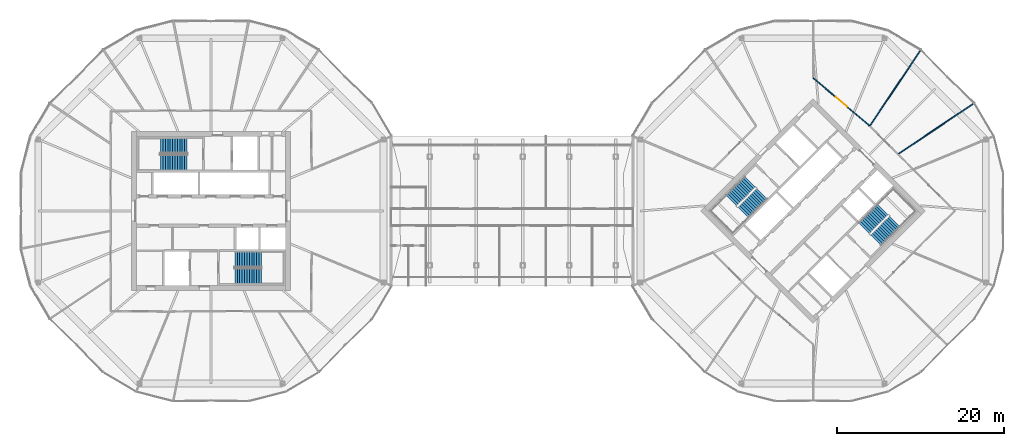
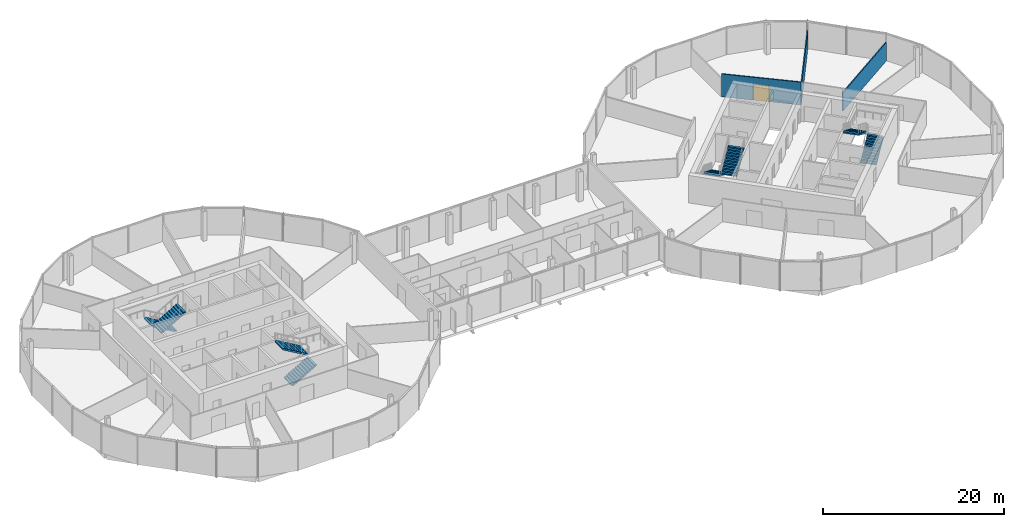
# One storey, part 24 of 25: 8 stair flights, 3 walls, 1 door, 1 opening, 4 elements without a shape of their own.
"""IFC4 building model written with IfcOpenShell, lengths in metres."""

import ifcopenshell
import ifcopenshell.guid

model = None  # the IFC model being written
_history = None  # IfcOwnerHistory: only IFC2X3 demands one
_inside = {}  # id of a spatial element -> (the spatial element, [elements in it])
_under = {}  # id of a project, library or spatial element -> (it, [spatial elements below it])
_declared = {}  # id of a project -> (the project, [libraries it declares])
_typed = {}  # id of a type object -> (the type object, [elements of that type])
_made_of = {}  # id of a material, layer set ... -> (it, [elements and type objects made of it])


def new_model(schema):
    """Start an empty IFC model of exactly this schema.

    Asked for "IFC4X3", IfcOpenShell would pick the latest addendum, in which some entities
    have other attributes; the version numbers below select the first issue.
    IFC2X3 requires an IfcOwnerHistory on every rooted entity: one is made here for all.
    """
    global model, _history
    if schema == "IFC4X3":
        model = ifcopenshell.file(schema_version=(4, 3, 0, 0))
    else:
        model = ifcopenshell.file(schema=schema)
    _inside.clear()
    _under.clear()
    _declared.clear()
    _typed.clear()
    _made_of.clear()
    _history = None
    if model.schema == "IFC2X3":
        org = make("IfcOrganization", Name="unknown")
        user = make(
            "IfcPersonAndOrganization",
            ThePerson=make("IfcPerson", FamilyName="unknown"),
            TheOrganization=org,
        )
        app = make(
            "IfcApplication",
            ApplicationDeveloper=org,
            Version="unknown",
            ApplicationFullName="unknown",
            ApplicationIdentifier="unknown",
        )
        _history = make(
            "IfcOwnerHistory",
            OwningUser=user,
            OwningApplication=app,
            ChangeAction="ADDED",
            CreationDate=0,
        )
    return model


def make(cls, **values):
    """One entity of the class cls with the attributes given. An attribute that is None is left unset."""
    return model.create_entity(
        cls, **{name: value for name, value in values.items() if value is not None}
    )


def rooted(cls, **values):
    """An entity with a GlobalId (a new one), such as an element, a storey or a relation."""
    return make(cls, GlobalId=ifcopenshell.guid.new(), OwnerHistory=_history, **values)


def si_unit(unit_type, name, prefix=None):
    """IfcSIUnit, for example si_unit("LENGTHUNIT", "METRE", prefix="MILLI")."""
    return make("IfcSIUnit", UnitType=unit_type, Prefix=prefix, Name=name)


def assignment(units):
    """IfcUnitAssignment: the units of a project."""
    return None if units is None else make("IfcUnitAssignment", Units=units)


def point(xyz):
    """IfcCartesianPoint."""
    return None if xyz is None else make("IfcCartesianPoint", Coordinates=xyz)


def direction(xyz):
    """IfcDirection."""
    return None if xyz is None else make("IfcDirection", DirectionRatios=xyz)


def frame(location, z_axis=None, x_axis=None):
    """IfcAxis2Placement3D, a coordinate frame: its origin and axes. An axis left out is left unset."""
    return make(
        "IfcAxis2Placement3D",
        Location=point(location),
        Axis=direction(z_axis),
        RefDirection=direction(x_axis),
    )


def frame_2d(location, x_axis=None):
    """IfcAxis2Placement2D, a coordinate frame in the plane: its origin and x axis."""
    return make(
        "IfcAxis2Placement2D", Location=point(location), RefDirection=direction(x_axis)
    )


def origin():
    """The frame at (0, 0, 0) with its axes left unset."""
    return frame((0.0, 0.0, 0.0))


def place(relative_to, where):
    """IfcLocalPlacement: puts the frame where relative to a parent placement (None: the world)."""
    return make(
        "IfcLocalPlacement", PlacementRelTo=relative_to, RelativePlacement=where
    )


def context(
    kind, dimensions, precision=None, world=None, true_north=None, identifier=None
):
    """IfcGeometricRepresentationContext, for example the 3D "Model" context."""
    return make(
        "IfcGeometricRepresentationContext",
        ContextIdentifier=identifier,
        ContextType=kind,
        CoordinateSpaceDimension=dimensions,
        Precision=precision,
        WorldCoordinateSystem=world,
        TrueNorth=true_north,
    )


def subcontext(parent, identifier, kind, view, scale=None):
    """IfcGeometricRepresentationSubContext, for example "Body" below "Model"."""
    return make(
        "IfcGeometricRepresentationSubContext",
        ContextIdentifier=identifier,
        ContextType=kind,
        ParentContext=parent,
        TargetScale=scale,
        TargetView=view,
    )


def project(units=None, contexts=None):
    """IfcProject with its units and contexts."""
    return rooted(
        "IfcProject",
        Name="project",
        RepresentationContexts=contexts,
        UnitsInContext=assignment(units),
    )


def spatial(cls, under=None, at=None, **own):
    """A site, building, storey or space (cls), placed at a placement, below another one or the project."""
    s = rooted(cls, ObjectPlacement=at, **own)
    if under is not None:
        _under.setdefault(under.id(), (under, []))[1].append(s)
    return s


def polyline(points):
    """IfcPolyline through the points."""
    return make("IfcPolyline", Points=[point(p) for p in points])


def profile(cls, at=None, kind="AREA", **sizes):
    """A parametric profile (cls). Its sizes go by their IFC names, for example OverallWidth=200.0."""
    return make(cls, ProfileType=kind, Position=at, **sizes)


def rectangle(**sizes):
    """IfcRectangleProfileDef."""
    return profile("IfcRectangleProfileDef", **sizes)


def outline(outer, holes=None, kind="AREA"):
    """IfcArbitraryClosedProfileDef: a profile drawn as a closed curve; with holes, ...WithVoids."""
    if holes is None:
        return make("IfcArbitraryClosedProfileDef", ProfileType=kind, OuterCurve=outer)
    return make(
        "IfcArbitraryProfileDefWithVoids",
        ProfileType=kind,
        OuterCurve=outer,
        InnerCurves=holes,
    )


def extrude(swept, where, along, depth):
    """IfcExtrudedAreaSolid: the profile swept, set in the frame where, extruded along a direction by depth."""
    return make(
        "IfcExtrudedAreaSolid",
        SweptArea=swept,
        Position=where,
        ExtrudedDirection=direction(along),
        Depth=depth,
    )


def shape(context_of_items, identifier, shape_type, items):
    """IfcShapeRepresentation: the items that make up one representation, for example the "Body"."""
    return make(
        "IfcShapeRepresentation",
        ContextOfItems=context_of_items,
        RepresentationIdentifier=identifier,
        RepresentationType=shape_type,
        Items=items,
    )


def material(Name=None, Category=None):
    """IfcMaterial."""
    return make("IfcMaterial", Name=Name, Category=Category)


def layer(
    of_material, thickness, ventilated=None, Name=None, Category=None, Priority=None
):
    """IfcMaterialLayer: one layer of a wall or slab, of a material (None: an air gap)."""
    return make(
        "IfcMaterialLayer",
        Material=of_material,
        LayerThickness=thickness,
        IsVentilated=ventilated,
        Name=Name,
        Category=Category,
        Priority=Priority,
    )


def layer_set(layers, Name=None):
    """IfcMaterialLayerSet."""
    return make("IfcMaterialLayerSet", MaterialLayers=layers, LayerSetName=Name)


def made_of(thing, what):
    """Note that an element or type object is made of a material, layer set ...; save() writes the relation."""
    if what is not None:
        _made_of.setdefault(what.id(), (what, []))[1].append(thing)
    return thing


def type_object(cls, material=None, **own):
    """A type object (cls), such as IfcWallType, which elements share."""
    return made_of(rooted(cls, **own), material)


def element(
    cls,
    number,
    at=None,
    inside=None,
    cuts=None,
    type_object=None,
    material=None,
    context=None,
    identifier="Body",
    shape_type=None,
    held_by="IfcProductDefinitionShape",
    body=None,
    shapes=None,
    **own,
):
    """One element of the class cls, such as IfcWall. Its Tag is "e" and its number.

    at: its placement. inside: the storey or other place that contains it. cuts: it is an
    opening in that element (IfcRelVoidsElement). A single representation is given by context,
    identifier, shape_type and body (its items); several are given by shapes. held_by: the class
    of the entity that holds the representations. save() writes the other relations.
    """
    e = rooted(cls, Tag="e%d" % number, ObjectPlacement=at, **own)
    if body is not None:
        shapes = [shape(context, identifier, shape_type, body)]
    if shapes is not None:
        e.Representation = make(held_by, Representations=shapes)
    if inside is not None:
        _inside.setdefault(inside.id(), (inside, []))[1].append(e)
    if cuts is not None:
        rooted(
            "IfcRelVoidsElement", RelatingBuildingElement=cuts, RelatedOpeningElement=e
        )
    if type_object is not None:
        _typed.setdefault(type_object.id(), (type_object, []))[1].append(e)
    return made_of(e, material)


def fill(opening, filler):
    """IfcRelFillsElement: the door or window that sits in an opening."""
    return rooted(
        "IfcRelFillsElement",
        RelatingOpeningElement=opening,
        RelatedBuildingElement=filler,
    )


def aggregate(whole, parts):
    """IfcRelAggregates: a whole, such as a stair, and the parts it consists of."""
    return rooted("IfcRelAggregates", RelatingObject=whole, RelatedObjects=parts)


def save(model, path):
    """Write the relations noted so far, then the file.

    IfcRelAggregates (storeys below a building ...), IfcRelContainedInSpatialStructure (elements
    in a storey), IfcRelDefinesByType, IfcRelAssociatesMaterial and IfcRelDeclares: one each for
    every whole, place, type object, material and project.
    """
    for whole, parts in _under.values():
        aggregate(whole, parts)
    for where, things in _inside.values():
        rooted(
            "IfcRelContainedInSpatialStructure",
            RelatedElements=things,
            RelatingStructure=where,
        )
    for kind, things in _typed.values():
        rooted("IfcRelDefinesByType", RelatedObjects=things, RelatingType=kind)
    for what, things in _made_of.values():
        rooted("IfcRelAssociatesMaterial", RelatedObjects=things, RelatingMaterial=what)
    for by, libraries in _declared.values():
        rooted("IfcRelDeclares", RelatingContext=by, RelatedDefinitions=libraries)
    model.write(path)


model = new_model("IFC4")

# Units and contexts
model_context = context("Model", 3, precision=1e-05, world=origin(), true_north=direction((0.0, 1.0)))
body_context = subcontext(model_context, "Body", "Model", "MODEL_VIEW")
ifc_project = project(units=[si_unit("LENGTHUNIT", "METRE"), si_unit("AREAUNIT", "SQUARE_METRE"), si_unit("VOLUMEUNIT", "CUBIC_METRE"), si_unit("PLANEANGLEUNIT", "RADIAN"), si_unit("MASSUNIT", "GRAM", prefix="KILO")], contexts=[model_context])

# Site, building, storey
site_placement = place(None, origin())
site = spatial("IfcSite", under=ifc_project, at=site_placement, CompositionType="ELEMENT")
building_placement = place(site_placement, origin())
building = spatial("IfcBuilding", under=site, at=building_placement, Name="Ogive Gate Towers", CompositionType="ELEMENT")
storey_placement = place(building_placement, frame((0.0, 0.0, 144.800048828125)))
storey = spatial("IfcBuildingStorey", under=building, at=storey_placement, Name="L34", CompositionType="ELEMENT", Elevation=144.800048828125)

# Walls
ifc_material_1 = material(Name="Gypsum board partition")
ifc_layer = layer(ifc_material_1, 0.125)
ifc_layer_set = layer_set([ifc_layer], Name="Partition 125")
wall_type = type_object("IfcWallType", Name="Partition 125", PredefinedType="PARTITIONING", material=ifc_layer_set)
for number, where, z_axis, x_axis, name in (
    (1, (55.2021484375, 12.83984375, 0.0), (0.0, 0.0, 1.0), (-0.831275117421, -0.55586120494, 0.0), "Partition T2-L34-002"),
    (2, (48.83984375, 19.2021484375, 0.0), (0.0, 0.0, 1.0), (-0.55586120494, -0.831275117421, 0.0), "Partition T2-L34-003"),
):
    element("IfcWall", number, at=place(storey_placement, frame(where, z_axis=z_axis, x_axis=x_axis)), inside=storey, type_object=wall_type, Name=name, PredefinedType="PARTITIONING", context=body_context, shape_type="SweptSolid", body=[
        extrude(rectangle(XDim=10.81640625, YDim=0.125, at=frame_2d((5.408203125, 0.0))), origin(), (0.0, 0.0, 1.0), 2.5),
    ])

# Wall, opening, door
wall_placement = place(storey_placement, frame((42.792724609375, 10.15869140625, 0.0), z_axis=(0.0, 0.0, 1.0), x_axis=(-0.762636147482, 0.646827725561, 0.0)))
wall = element("IfcWall", 3, at=wall_placement, inside=storey, type_object=wall_type, Name="Partition T2-L34-019", PredefinedType="PARTITIONING", context=body_context, shape_type="SweptSolid", body=[
    extrude(rectangle(XDim=8.906982421875, YDim=0.125, at=frame_2d((4.45361328125, 0.0))), origin(), (0.0, 0.0, 1.0), 3.099853515625),
])
opening_placement = place(wall_placement, frame((3.552978515625, 0.0, 0.0)))
opening = element("IfcOpeningElement", 4, at=opening_placement, cuts=wall, Name="Opening T2-L34-D07", PredefinedType="OPENING", context=body_context, shape_type="SweptSolid", body=[
    extrude(rectangle(XDim=1.800048828125, YDim=2.10009765625, at=frame_2d((0.89990234375, 1.050048828125))), frame((0.0, 0.072509765625, 0.0), z_axis=(0.0, -1.0, 0.0), x_axis=(1.0, 0.0, 0.0)), (0.0, 0.0, 1.0), 0.14501953125),
])
ifc_material_2 = material(Name="Timber door", Category="wood")
door_type = type_object("IfcDoorType", Name="Door pair 1800", OperationType="NOTDEFINED", PredefinedType="DOOR", material=ifc_material_2)
door_placement = place(opening_placement, origin())
door = element("IfcDoor", 5, at=door_placement, inside=storey, type_object=door_type, Name="Door T2-L34-D07", OperationType="DOUBLE_DOOR_DOUBLE_SWING", OverallHeight=2.10009765625, OverallWidth=1.800048828125, PredefinedType="DOOR", context=body_context, shape_type="SweptSolid", body=[
    extrude(rectangle(XDim=1.800048828125, YDim=2.10009765625, at=frame_2d((0.89990234375, 1.050048828125))), frame((0.0, 0.02490234375, 0.0), z_axis=(0.0, -1.0, 0.0), x_axis=(1.0, 0.0, 0.0)), (0.0, 0.0, 1.0), 0.050048828125),
])
fill(opening, door)

# Stair, stair flights
ifc_material_3 = material(Name="Concrete C40/50", Category="concrete")
stair_type = type_object("IfcStairType", Name="Escape stair 1840 wide", PredefinedType="HALF_TURN_STAIR", material=ifc_material_3)
stair_1_placement = place(storey_placement, origin())
stair_1 = element("IfcStair", 6, at=stair_1_placement, inside=storey, type_object=stair_type, Name="L34 Escape stair 1", PredefinedType="HALF_TURN_STAIR")
stair_flight_type = type_object("IfcStairFlightType", Name="Stair flight 1840 wide", PredefinedType="STRAIGHT", material=ifc_material_3)
stair_flight_1_placement = place(storey_placement, frame((-38.864990234375, 7.780029296875, 0.0), z_axis=(0.0, 0.0, 1.0), x_axis=(-1.0, 0.0, 0.0)))
stair_flight_1 = element("IfcStairFlight", 7, at=stair_flight_1_placement, type_object=stair_flight_type, Name="ST1 flight 1", NumberOfRisers=12, NumberOfTreads=11, PredefinedType="STRAIGHT", RiserHeight=0.166666667, TreadLength=0.2875, context=body_context, shape_type="SweptSolid", body=[
    extrude(outline(polyline([(0.0, 0.0), (0.0, 0.166748046875), (0.28759765625, 0.166748046875), (0.28759765625, 0.333251953125), (0.574951171875, 0.333251953125), (0.574951171875, 0.5), (0.862548828125, 0.5), (0.862548828125, 0.666748046875), (1.14990234375, 0.666748046875), (1.14990234375, 0.833251953125), (1.4375, 0.833251953125), (1.4375, 1.0), (1.72509765625, 1.0), (1.72509765625, 1.166748046875), (2.012451171875, 1.166748046875), (2.012451171875, 1.333251953125), (2.300048828125, 1.333251953125), (2.300048828125, 1.5), (2.58740234375, 1.5), (2.58740234375, 1.666748046875), (2.875, 1.666748046875), (2.875, 1.833251953125), (3.16259765625, 1.833251953125), (3.16259765625, 2.0), (3.16259765625, 1.66015625), (0.298828125, 0.0), (0.0, 0.0)])), frame((0.0, 0.919921875, 0.0), z_axis=(0.0, -1.0, 0.0), x_axis=(1.0, 0.0, 0.0)), (0.0, 0.0, 1.0), 1.840087890625),
])
stair_flight_2_placement = place(storey_placement, frame((-42.027587890625, 5.794921875, 2.0), z_axis=(0.0, 0.0, 1.0), x_axis=(1.0, 0.0, 0.0)))
stair_flight_2 = element("IfcStairFlight", 8, at=stair_flight_2_placement, type_object=stair_flight_type, Name="ST1 flight 2", NumberOfRisers=12, NumberOfTreads=11, PredefinedType="STRAIGHT", RiserHeight=0.166666667, TreadLength=0.2875, context=body_context, shape_type="SweptSolid", body=[
    extrude(outline(polyline([(0.0, 0.0), (0.0, 0.166748046875), (0.28759765625, 0.166748046875), (0.28759765625, 0.333251953125), (0.574951171875, 0.333251953125), (0.574951171875, 0.5), (0.862548828125, 0.5), (0.862548828125, 0.666748046875), (1.14990234375, 0.666748046875), (1.14990234375, 0.833251953125), (1.4375, 0.833251953125), (1.4375, 1.0), (1.72509765625, 1.0), (1.72509765625, 1.166748046875), (2.012451171875, 1.166748046875), (2.012451171875, 1.333251953125), (2.300048828125, 1.333251953125), (2.300048828125, 1.5), (2.58740234375, 1.5), (2.58740234375, 1.666748046875), (2.875, 1.666748046875), (2.875, 1.833251953125), (3.16259765625, 1.833251953125), (3.16259765625, 2.0), (3.16259765625, 1.66015625), (0.298828125, 0.0), (0.0, 0.0)])), frame((0.0, 0.919921875, 0.0), z_axis=(0.0, -1.0, 0.0), x_axis=(1.0, 0.0, 0.0)), (0.0, 0.0, 1.0), 1.840087890625),
])
aggregate(stair_1, [stair_flight_1, stair_flight_2])

stair_2_placement = place(storey_placement, origin())
stair_2 = element("IfcStair", 9, at=stair_2_placement, inside=storey, type_object=stair_type, Name="L34 Escape stair 2", PredefinedType="HALF_TURN_STAIR")
stair_flight_3_placement = place(storey_placement, frame((-33.135009765625, -7.780029296875, 0.0), z_axis=(0.0, 0.0, 1.0), x_axis=(1.0, 0.0, 0.0)))
stair_flight_3 = element("IfcStairFlight", 10, at=stair_flight_3_placement, type_object=stair_flight_type, Name="ST2 flight 1", NumberOfRisers=12, NumberOfTreads=11, PredefinedType="STRAIGHT", RiserHeight=0.166666667, TreadLength=0.2875, context=body_context, shape_type="SweptSolid", body=[
    extrude(outline(polyline([(0.0, 0.0), (0.0, 0.166748046875), (0.28759765625, 0.166748046875), (0.28759765625, 0.333251953125), (0.574951171875, 0.333251953125), (0.574951171875, 0.5), (0.862548828125, 0.5), (0.862548828125, 0.666748046875), (1.14990234375, 0.666748046875), (1.14990234375, 0.833251953125), (1.4375, 0.833251953125), (1.4375, 1.0), (1.72509765625, 1.0), (1.72509765625, 1.166748046875), (2.012451171875, 1.166748046875), (2.012451171875, 1.333251953125), (2.300048828125, 1.333251953125), (2.300048828125, 1.5), (2.58740234375, 1.5), (2.58740234375, 1.666748046875), (2.875, 1.666748046875), (2.875, 1.833251953125), (3.16259765625, 1.833251953125), (3.16259765625, 2.0), (3.16259765625, 1.66015625), (0.298828125, 0.0), (0.0, 0.0)])), frame((0.0, 0.919921875, 0.0), z_axis=(0.0, -1.0, 0.0), x_axis=(1.0, 0.0, 0.0)), (0.0, 0.0, 1.0), 1.840087890625),
])
stair_flight_4_placement = place(storey_placement, frame((-29.972412109375, -5.794921875, 2.0), z_axis=(0.0, 0.0, 1.0), x_axis=(-1.0, 0.0, 0.0)))
stair_flight_4 = element("IfcStairFlight", 11, at=stair_flight_4_placement, type_object=stair_flight_type, Name="ST2 flight 2", NumberOfRisers=12, NumberOfTreads=11, PredefinedType="STRAIGHT", RiserHeight=0.166666667, TreadLength=0.2875, context=body_context, shape_type="SweptSolid", body=[
    extrude(outline(polyline([(0.0, 0.0), (0.0, 0.166748046875), (0.28759765625, 0.166748046875), (0.28759765625, 0.333251953125), (0.574951171875, 0.333251953125), (0.574951171875, 0.5), (0.862548828125, 0.5), (0.862548828125, 0.666748046875), (1.14990234375, 0.666748046875), (1.14990234375, 0.833251953125), (1.4375, 0.833251953125), (1.4375, 1.0), (1.72509765625, 1.0), (1.72509765625, 1.166748046875), (2.012451171875, 1.166748046875), (2.012451171875, 1.333251953125), (2.300048828125, 1.333251953125), (2.300048828125, 1.5), (2.58740234375, 1.5), (2.58740234375, 1.666748046875), (2.875, 1.666748046875), (2.875, 1.833251953125), (3.16259765625, 1.833251953125), (3.16259765625, 2.0), (3.16259765625, 1.66015625), (0.298828125, 0.0), (0.0, 0.0)])), frame((0.0, 0.919921875, 0.0), z_axis=(0.0, -1.0, 0.0), x_axis=(1.0, 0.0, 0.0)), (0.0, 0.0, 1.0), 1.840087890625),
])
aggregate(stair_2, [stair_flight_3, stair_flight_4])

stair_3_placement = place(storey_placement, origin())
stair_3 = element("IfcStair", 12, at=stair_3_placement, inside=storey, type_object=stair_type, Name="L34 Escape stair 1", PredefinedType="HALF_TURN_STAIR")
stair_flight_5_placement = place(storey_placement, frame((28.472900390625, 3.475341796875, 0.0), z_axis=(0.0, 0.0, 1.0), x_axis=(-0.707106781187, -0.707106781187, 0.0)))
stair_flight_5 = element("IfcStairFlight", 13, at=stair_flight_5_placement, type_object=stair_flight_type, Name="ST1 flight 1", NumberOfRisers=12, NumberOfTreads=11, PredefinedType="STRAIGHT", RiserHeight=0.166666667, TreadLength=0.2875, context=body_context, shape_type="SweptSolid", body=[
    extrude(outline(polyline([(0.0, 0.0), (0.0, 0.166748046875), (0.28759765625, 0.166748046875), (0.28759765625, 0.333251953125), (0.574951171875, 0.333251953125), (0.574951171875, 0.5), (0.862548828125, 0.5), (0.862548828125, 0.666748046875), (1.14990234375, 0.666748046875), (1.14990234375, 0.833251953125), (1.4375, 0.833251953125), (1.4375, 1.0), (1.72509765625, 1.0), (1.72509765625, 1.166748046875), (2.012451171875, 1.166748046875), (2.012451171875, 1.333251953125), (2.300048828125, 1.333251953125), (2.300048828125, 1.5), (2.58740234375, 1.5), (2.58740234375, 1.666748046875), (2.875, 1.666748046875), (2.875, 1.833251953125), (3.16259765625, 1.833251953125), (3.16259765625, 2.0), (3.16259765625, 1.66015625), (0.298828125, 0.0), (0.0, 0.0)])), frame((0.0, 0.919921875, 0.0), z_axis=(0.0, -1.0, 0.0), x_axis=(1.0, 0.0, 0.0)), (0.0, 0.0, 1.0), 1.840087890625),
])
stair_flight_6_placement = place(storey_placement, frame((27.64013671875, -0.164306640625, 2.0), z_axis=(0.0, 0.0, 1.0), x_axis=(0.707106781187, 0.707106781187, 0.0)))
stair_flight_6 = element("IfcStairFlight", 14, at=stair_flight_6_placement, type_object=stair_flight_type, Name="ST1 flight 2", NumberOfRisers=12, NumberOfTreads=11, PredefinedType="STRAIGHT", RiserHeight=0.166666667, TreadLength=0.2875, context=body_context, shape_type="SweptSolid", body=[
    extrude(outline(polyline([(0.0, 0.0), (0.0, 0.166748046875), (0.28759765625, 0.166748046875), (0.28759765625, 0.333251953125), (0.574951171875, 0.333251953125), (0.574951171875, 0.5), (0.862548828125, 0.5), (0.862548828125, 0.666748046875), (1.14990234375, 0.666748046875), (1.14990234375, 0.833251953125), (1.4375, 0.833251953125), (1.4375, 1.0), (1.72509765625, 1.0), (1.72509765625, 1.166748046875), (2.012451171875, 1.166748046875), (2.012451171875, 1.333251953125), (2.300048828125, 1.333251953125), (2.300048828125, 1.5), (2.58740234375, 1.5), (2.58740234375, 1.666748046875), (2.875, 1.666748046875), (2.875, 1.833251953125), (3.16259765625, 1.833251953125), (3.16259765625, 2.0), (3.16259765625, 1.66015625), (0.298828125, 0.0), (0.0, 0.0)])), frame((0.0, 0.919921875, 0.0), z_axis=(0.0, -1.0, 0.0), x_axis=(1.0, 0.0, 0.0)), (0.0, 0.0, 1.0), 1.840087890625),
])
aggregate(stair_3, [stair_flight_5, stair_flight_6])

stair_4_placement = place(storey_placement, origin())
stair_4 = element("IfcStair", 15, at=stair_4_placement, inside=storey, type_object=stair_type, Name="L34 Escape stair 2", PredefinedType="HALF_TURN_STAIR")
stair_flight_7_placement = place(storey_placement, frame((43.527099609375, -3.475341796875, 0.0), z_axis=(0.0, 0.0, 1.0), x_axis=(0.707106781187, 0.707106781187, 0.0)))
stair_flight_7 = element("IfcStairFlight", 16, at=stair_flight_7_placement, type_object=stair_flight_type, Name="ST2 flight 1", NumberOfRisers=12, NumberOfTreads=11, PredefinedType="STRAIGHT", RiserHeight=0.166666667, TreadLength=0.2875, context=body_context, shape_type="SweptSolid", body=[
    extrude(outline(polyline([(0.0, 0.0), (0.0, 0.166748046875), (0.28759765625, 0.166748046875), (0.28759765625, 0.333251953125), (0.574951171875, 0.333251953125), (0.574951171875, 0.5), (0.862548828125, 0.5), (0.862548828125, 0.666748046875), (1.14990234375, 0.666748046875), (1.14990234375, 0.833251953125), (1.4375, 0.833251953125), (1.4375, 1.0), (1.72509765625, 1.0), (1.72509765625, 1.166748046875), (2.012451171875, 1.166748046875), (2.012451171875, 1.333251953125), (2.300048828125, 1.333251953125), (2.300048828125, 1.5), (2.58740234375, 1.5), (2.58740234375, 1.666748046875), (2.875, 1.666748046875), (2.875, 1.833251953125), (3.16259765625, 1.833251953125), (3.16259765625, 2.0), (3.16259765625, 1.66015625), (0.298828125, 0.0), (0.0, 0.0)])), frame((0.0, 0.919921875, 0.0), z_axis=(0.0, -1.0, 0.0), x_axis=(1.0, 0.0, 0.0)), (0.0, 0.0, 1.0), 1.840087890625),
])
stair_flight_8_placement = place(storey_placement, frame((44.35986328125, 0.164306640625, 2.0), z_axis=(0.0, 0.0, 1.0), x_axis=(-0.707106781187, -0.707106781187, 0.0)))
stair_flight_8 = element("IfcStairFlight", 17, at=stair_flight_8_placement, type_object=stair_flight_type, Name="ST2 flight 2", NumberOfRisers=12, NumberOfTreads=11, PredefinedType="STRAIGHT", RiserHeight=0.166666667, TreadLength=0.2875, context=body_context, shape_type="SweptSolid", body=[
    extrude(outline(polyline([(0.0, 0.0), (0.0, 0.166748046875), (0.28759765625, 0.166748046875), (0.28759765625, 0.333251953125), (0.574951171875, 0.333251953125), (0.574951171875, 0.5), (0.862548828125, 0.5), (0.862548828125, 0.666748046875), (1.14990234375, 0.666748046875), (1.14990234375, 0.833251953125), (1.4375, 0.833251953125), (1.4375, 1.0), (1.72509765625, 1.0), (1.72509765625, 1.166748046875), (2.012451171875, 1.166748046875), (2.012451171875, 1.333251953125), (2.300048828125, 1.333251953125), (2.300048828125, 1.5), (2.58740234375, 1.5), (2.58740234375, 1.666748046875), (2.875, 1.666748046875), (2.875, 1.833251953125), (3.16259765625, 1.833251953125), (3.16259765625, 2.0), (3.16259765625, 1.66015625), (0.298828125, 0.0), (0.0, 0.0)])), frame((0.0, 0.919921875, 0.0), z_axis=(0.0, -1.0, 0.0), x_axis=(1.0, 0.0, 0.0)), (0.0, 0.0, 1.0), 1.840087890625),
])
aggregate(stair_4, [stair_flight_7, stair_flight_8])

save(model, "model.ifc")
